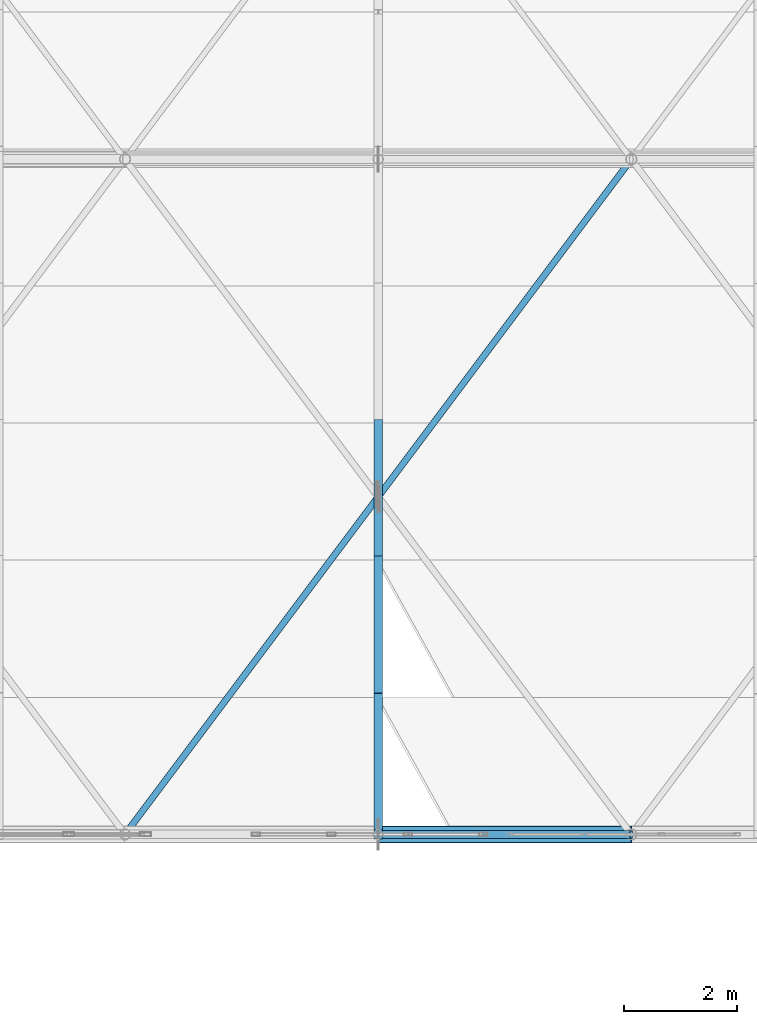
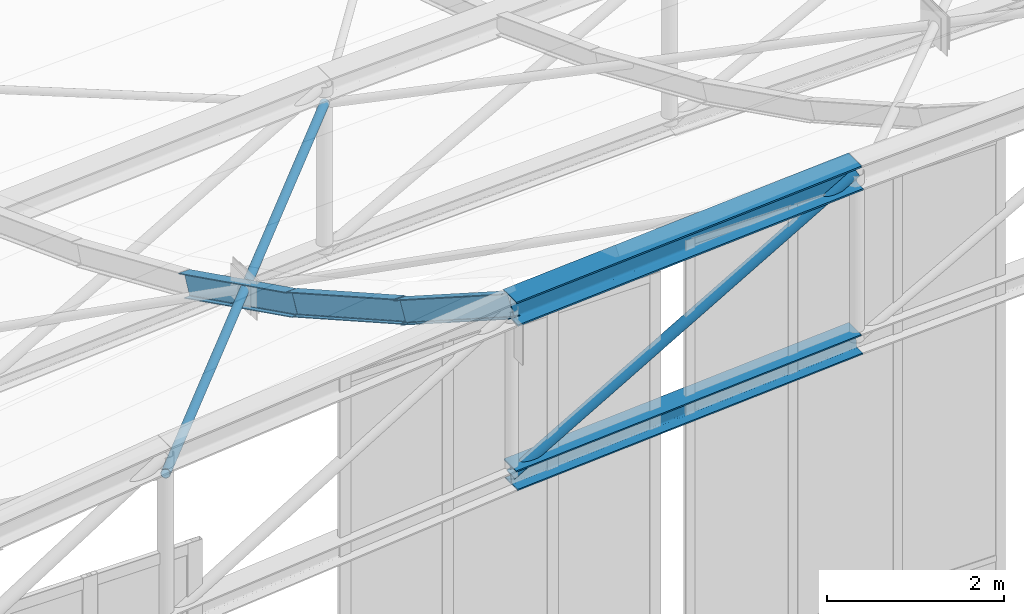
# One storey, part 47 of 262: 7 members.
"""IFC4 building model written with IfcOpenShell, lengths in metres."""

from ifc_helpers import new_model, si_unit, derived_unit, direction, frame, origin, origin_2d, place, context, subcontext, project, spatial, hollow_circle, i_section, extrude, material, material_profile, profile_set, type_object, element, save


model = new_model("IFC4")

# Units and contexts
model_context = context("Model", 3, precision=1e-05, world=origin(), true_north=direction((0.0, 1.0)))
body_context = subcontext(model_context, "Body", "Model", "MODEL_VIEW")
ifc_project = project(units=[si_unit("LENGTHUNIT", "METRE"), si_unit("AREAUNIT", "SQUARE_METRE"), si_unit("VOLUMEUNIT", "CUBIC_METRE"), si_unit("PLANEANGLEUNIT", "RADIAN"), si_unit("MASSUNIT", "GRAM", prefix="KILO"), derived_unit("THERMALTRANSMITTANCEUNIT", [(si_unit("POWERUNIT", "WATT"), 1), (si_unit("LENGTHUNIT", "METRE"), -2), (si_unit("THERMODYNAMICTEMPERATUREUNIT", "KELVIN"), -1)])], contexts=[model_context])

# Site, building, storey
site_placement = place(None, origin())
site = spatial("IfcSite", under=ifc_project, at=site_placement, CompositionType="ELEMENT")
building_placement = place(site_placement, origin())
building = spatial("IfcBuilding", under=site, at=building_placement, Name="Almenara Railside Exhibition Hall", CompositionType="ELEMENT")
storey_placement = place(building_placement, frame((0.0, 0.0, 21.699951171875)))
storey = spatial("IfcBuildingStorey", under=building, at=storey_placement, Name="RF", CompositionType="ELEMENT", Elevation=21.699951171875)

# Members
ifc_material = material(Name="Structural steel S355JR", Category="steel")
ifc_material_profile_1 = material_profile(ifc_material, i_section(OverallWidth=0.280029296875, OverallDepth=0.280029296875, WebThickness=0.010498046875, FlangeThickness=0.01806640625, FilletRadius=0.02392578125, at=origin_2d()), Name="HEB 280")
ifc_profile_set_1 = profile_set([ifc_material_profile_1], Name="Structural steel S355JR")
member_type_1 = type_object("IfcMemberType", Name="Arched Gable Bottom Chord HEB 280 S355JR", PredefinedType="CHORD", material=ifc_profile_set_1)
member_1_placement = place(storey_placement, frame((25.5, 48.0, 8.25), z_axis=(0.997701025897, 0.0, 0.067769188608), x_axis=(0.0, 1.0, 0.0)))
element("IfcMember", 1, at=member_1_placement, inside=storey, type_object=member_type_1, Name="MEM-BC-V1-00-03", PredefinedType="CHORD", context=body_context, shape_type="SweptSolid", body=[
    extrude(i_section(OverallWidth=0.280029296875, OverallDepth=0.280029296875, WebThickness=0.010498046875, FlangeThickness=0.01806640625, FilletRadius=0.02392578125, at=origin_2d()), origin(), (0.0, 0.0, 1.0), 4.51025390625),
])
ifc_material_profile_2 = material_profile(ifc_material, i_section(OverallWidth=0.300048828125, OverallDepth=0.340087890625, WebThickness=0.011962890625, FlangeThickness=0.021484375, FilletRadius=0.027099609375, at=origin_2d()), Name="HEB 340")
ifc_profile_set_2 = profile_set([ifc_material_profile_2], Name="Structural steel S355JR")
member_type_2 = type_object("IfcMemberType", Name="Arched Gable Top Chord HEB 340 S355JR", PredefinedType="CHORD", material=ifc_profile_set_2)
member_2_placement = place(storey_placement, frame((25.5, 48.0, 10.550048828125), z_axis=(0.997701025897, 0.0, 0.067769188608), x_axis=(0.0, 1.0, 0.0)))
element("IfcMember", 2, at=member_2_placement, inside=storey, type_object=member_type_2, Name="MEM-TC-V1-00-03", PredefinedType="CHORD", context=body_context, shape_type="SweptSolid", body=[
    extrude(i_section(OverallWidth=0.300048828125, OverallDepth=0.340087890625, WebThickness=0.011962890625, FlangeThickness=0.021484375, FilletRadius=0.027099609375, at=origin_2d()), origin(), (0.0, 0.0, 1.0), 4.51025390625),
])
ifc_material_profile_3 = material_profile(ifc_material, i_section(OverallWidth=0.14990234375, OverallDepth=0.300048828125, WebThickness=0.007080078125, FlangeThickness=0.0107421875, FilletRadius=0.014892578125, at=origin_2d()), Name="IPE 300")
ifc_profile_set_3 = profile_set([ifc_material_profile_3], Name="Structural steel S355JR")
member_type_3 = type_object("IfcMemberType", Name="East Hall Ridge Purlin IPE 300 S355JR", PredefinedType="PURLIN", material=ifc_profile_set_3)
member_3_placement = place(storey_placement, frame((25.5, 48.0, 10.59033203125), z_axis=(0.0, 0.842226955435, -0.539123135785), x_axis=(-1.0, 0.0, 0.0)))
element("IfcMember", 3, at=member_3_placement, inside=storey, type_object=member_type_3, Name="MEM-PR-V1-PR-IPE300-02-00", PredefinedType="PURLIN", context=body_context, shape_type="SweptSolid", body=[
    extrude(i_section(OverallWidth=0.14990234375, OverallDepth=0.300048828125, WebThickness=0.007080078125, FlangeThickness=0.0107421875, FilletRadius=0.014892578125, at=origin_2d()), origin(), (0.0, 0.0, 1.0), 2.893310546875),
])
member_4_placement = place(storey_placement, frame((25.5, 50.436767578125, 9.04345703125), z_axis=(0.0, 0.870445855666, -0.492264169277), x_axis=(-1.0, 0.0, 0.0)))
element("IfcMember", 4, at=member_4_placement, inside=storey, type_object=member_type_3, Name="MEM-PR-V1-PR-IPE300-02-01", PredefinedType="PURLIN", context=body_context, shape_type="SweptSolid", body=[
    extrude(i_section(OverallWidth=0.14990234375, OverallDepth=0.300048828125, WebThickness=0.007080078125, FlangeThickness=0.0107421875, FilletRadius=0.014892578125, at=origin_2d()), origin(), (0.0, 0.0, 1.0), 2.799072265625),
])
member_5_placement = place(storey_placement, frame((25.5, 52.873291015625, 7.6591796875), z_axis=(0.0, 0.895376074457, -0.445310773831), x_axis=(-1.0, 0.0, 0.0)))
element("IfcMember", 5, at=member_5_placement, inside=storey, type_object=member_type_3, Name="MEM-PR-V1-PR-IPE300-02-02", PredefinedType="PURLIN", context=body_context, shape_type="SweptSolid", body=[
    extrude(i_section(OverallWidth=0.14990234375, OverallDepth=0.300048828125, WebThickness=0.007080078125, FlangeThickness=0.0107421875, FilletRadius=0.014892578125, at=origin_2d()), origin(), (0.0, 0.0, 1.0), 2.721435546875),
])
ifc_material_profile_4 = material_profile(ifc_material, hollow_circle(Radius=0.05712890625, WallThickness=0.00439453125, at=origin_2d()), Name="CHS 114.3x4.5")
ifc_profile_set_4 = profile_set([ifc_material_profile_4], Name="Structural steel S355JR")
member_type_4 = type_object("IfcMemberType", Name="Roof Wind Plan X-Brace CHS 114.3x4.5 S355JR", PredefinedType="BRACE", material=ifc_profile_set_4)
member_6_placement = place(storey_placement, frame((21.0, 48.0, 9.84228515625), z_axis=(0.565422677125, 0.753896902834, -0.334569359162), x_axis=(-0.8, 0.6, 0.0)))
element("IfcMember", 6, at=member_6_placement, inside=storey, type_object=member_type_4, Name="MEM-WB-V1-WB-CHS114-00-02-C", PredefinedType="BRACE", context=body_context, shape_type="SweptSolid", body=[
    extrude(hollow_circle(Radius=0.05712890625, WallThickness=0.00439453125, at=origin_2d()), origin(), (0.0, 0.0, 1.0), 15.917236328125),
])
ifc_material_profile_5 = material_profile(ifc_material, hollow_circle(Radius=0.06982421875, WallThickness=0.0048828125, at=origin_2d()), Name="CHS 139.7x5")
ifc_profile_set_5 = profile_set([ifc_material_profile_5], Name="Structural steel S355JR")
member_type_5 = type_object("IfcMemberType", Name="Truss Inner Diagonal CHS 139.7x5 S355JR", PredefinedType="BRACE", material=ifc_profile_set_5)
member_7_placement = place(storey_placement, frame((25.5, 48.0, 8.25), z_axis=(0.865388781224, 0.0, 0.501101045031), x_axis=(0.0, 1.0, 0.0)))
element("IfcMember", 7, at=member_7_placement, inside=storey, type_object=member_type_5, Name="MEM-TD-V1-00-03", PredefinedType="BRACE", context=body_context, shape_type="SweptSolid", body=[
    extrude(hollow_circle(Radius=0.06982421875, WallThickness=0.0048828125, at=origin_2d()), origin(), (0.0, 0.0, 1.0), 5.199951171875),
])

save(model, "model.ifc")
